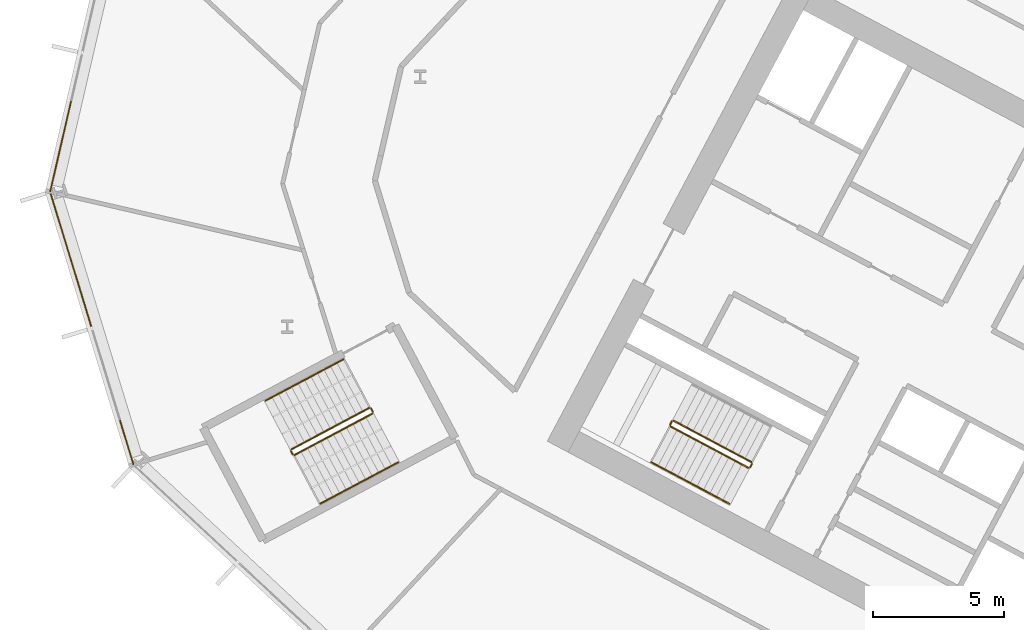
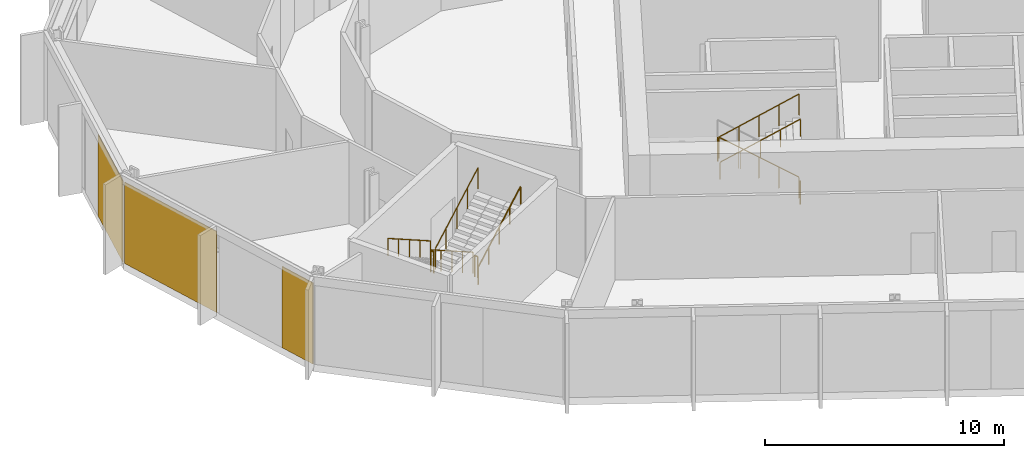
# One storey, part 22 of 30: 11 railings, 3 coverings, 2 elements without a shape of their own.
"""IFC4 building model written with IfcOpenShell, lengths in metres."""

from ifc_helpers import new_model, si_unit, direction, frame, origin, origin_2d, place, context, subcontext, project, spatial, polyline, rectangle, outline, extrude, material, layer, layer_set, type_object, element, aggregate, save


model = new_model("IFC4")

# Units and contexts
model_context = context("Model", 3, precision=1e-05, world=origin(), true_north=direction((0.0, 1.0)))
body_context = subcontext(model_context, "Body", "Model", "MODEL_VIEW")
ifc_project = project(units=[si_unit("LENGTHUNIT", "METRE"), si_unit("AREAUNIT", "SQUARE_METRE"), si_unit("VOLUMEUNIT", "CUBIC_METRE"), si_unit("PLANEANGLEUNIT", "RADIAN"), si_unit("MASSUNIT", "GRAM", prefix="KILO")], contexts=[model_context])

# Site, building, storey
site_placement = place(None, origin())
site = spatial("IfcSite", under=ifc_project, at=site_placement, CompositionType="ELEMENT")
building_placement = place(site_placement, origin())
building = spatial("IfcBuilding", under=site, at=building_placement, Name="Cormorant Relay Tower", CompositionType="ELEMENT")
storey_placement = place(building_placement, frame((0.0, 0.0, 84.60009765625)))
storey = spatial("IfcBuildingStorey", under=building, at=storey_placement, Name="L16", CompositionType="ELEMENT", Elevation=84.60009765625)

# Curtain wall, covering
ifc_material_1 = material(Name="Aluminium 6063-T6 anodised bronze", Category="aluminium")
ifc_layer_1 = layer(ifc_material_1, 0.199951171875)
ifc_layer_set_1 = layer_set([ifc_layer_1], Name="CW1 unitised bronze curtain wall with vertical fins")
curtain_wall_type = type_object("IfcCurtainWallType", Name="CW1 unitised bronze curtain wall with vertical fins", PredefinedType="NOTDEFINED", material=ifc_layer_set_1)
curtain_wall_1_placement = place(storey_placement, origin())
curtain_wall_1 = element("IfcCurtainWall", 1, at=curtain_wall_1_placement, inside=storey, type_object=curtain_wall_type, Name="CW1 curtain wall 11", PredefinedType="NOTDEFINED")
ifc_material_2 = material(Name="Pale bronze anodised aluminium insulated panel", Category="aluminium")
ifc_layer_2 = layer(ifc_material_2, 0.0400390625)
ifc_layer_set_2 = layer_set([ifc_layer_2], Name="CW1 pale bronze insulated panel 40")
covering_type = type_object("IfcCoveringType", Name="CW1 pale bronze insulated panel 40", PredefinedType="CLADDING", material=ifc_layer_set_2)
covering_1_placement = place(storey_placement, frame((-60.3388671875, 22.13232421875, 0.0), z_axis=(0.0, 0.0, 1.0), x_axis=(-0.224951054344, -0.974370064785, 0.0)))
covering_1 = element("IfcCovering", 2, at=covering_1_placement, type_object=covering_type, Name="CW1 panel S02", PredefinedType="CLADDING", context=body_context, shape_type="SweptSolid", body=[
    extrude(rectangle(XDim=3.560302734375, YDim=0.0400390625, at=origin_2d()), origin(), (0.0, 0.0, 1.0), 4.14990234375),
])
aggregate(curtain_wall_1, [covering_1])

# Curtain wall, coverings
curtain_wall_2_placement = place(storey_placement, origin())
curtain_wall_2 = element("IfcCurtainWall", 3, at=curtain_wall_2_placement, inside=storey, type_object=curtain_wall_type, Name="CW1 curtain wall 12", PredefinedType="NOTDEFINED")
covering_2_placement = place(storey_placement, frame((-59.9443359375, 17.78857421875, 0.0), z_axis=(0.0, 0.0, 1.0), x_axis=(0.292371704723, -0.956304755963, 0.0)))
covering_2 = element("IfcCovering", 4, at=covering_2_placement, type_object=covering_type, Name="CW1 panel S00", PredefinedType="CLADDING", context=body_context, shape_type="SweptSolid", body=[
    extrude(rectangle(XDim=5.28515625, YDim=0.0400390625, at=origin_2d()), origin(), (0.0, 0.0, 1.0), 4.14990234375),
])
covering_3_placement = place(storey_placement, frame((-57.818115234375, 10.833740234375, 0.0), z_axis=(0.0, 0.0, 1.0), x_axis=(0.292371704723, -0.956304755963, 0.0)))
covering_3 = element("IfcCovering", 5, at=covering_3_placement, type_object=covering_type, Name="CW1 panel S02", PredefinedType="CLADDING", context=body_context, shape_type="SweptSolid", body=[
    extrude(rectangle(XDim=1.76025390625, YDim=0.0400390625, at=origin_2d()), origin(), (0.0, 0.0, 1.0), 4.14990234375),
])
aggregate(curtain_wall_2, [covering_2, covering_3])

# Railings
ifc_material_3 = material(Name="Steel ASTM A572 Grade 50 (Fy 345 MPa)", Category="steel")
railing_type_1 = type_object("IfcRailingType", Name="Stair guard 1100", PredefinedType="GUARDRAIL", material=ifc_material_3)
railing_1_placement = place(storey_placement, frame((-33.9921875, 10.08935546875, 0.1767578125)))
element("IfcRailing", 6, at=railing_1_placement, inside=storey, type_object=railing_type_1, Name="L16 A2 stair guard 1", PredefinedType="GUARDRAIL", context=body_context, shape_type="SweptSolid", body=[
    extrude(outline(polyline([(0.022216796875, 0.00927734375), (0.00927734375, 0.022216796875), (-0.00927734375, 0.022216796875), (-0.022216796875, 0.00927734375), (-0.022216796875, -0.00927734375), (-0.00927734375, -0.022216796875), (0.00927734375, -0.022216796875), (0.022216796875, -0.00927734375), (0.022216796875, 0.00927734375)])), frame((0.0, 0.0, 1.076171875), z_axis=(-0.746440668329, 0.396869088057, 0.534154711306), x_axis=(-0.46945269911, -0.882957622595, 0.0)), (0.0, 0.0, 1.0), 3.974609375),
    extrude(outline(polyline([(0.019287109375, 0.008056640625), (0.008056640625, 0.019287109375), (-0.008056640625, 0.019287109375), (-0.019287109375, 0.008056640625), (-0.019287109375, -0.008056640625), (-0.008056640625, -0.019287109375), (0.008056640625, -0.019287109375), (0.019287109375, -0.008056640625), (0.019287109375, 0.008056640625)])), origin(), (0.0, 0.0, 1.0), 1.052001953125),
    extrude(outline(polyline([(0.019287109375, 0.008056640625), (0.008056640625, 0.019287109375), (-0.008056640625, 0.019287109375), (-0.019287109375, 0.008056640625), (-0.019287109375, -0.008056640625), (-0.008056640625, -0.019287109375), (0.008056640625, -0.019287109375), (0.019287109375, -0.008056640625), (0.019287109375, 0.008056640625)])), frame((-0.74169921875, 0.394287109375, 0.53076171875)), (0.0, 0.0, 1.0), 1.052001953125),
    extrude(outline(polyline([(0.019287109375, 0.008056640625), (0.008056640625, 0.019287109375), (-0.008056640625, 0.019287109375), (-0.019287109375, 0.008056640625), (-0.019287109375, -0.008056640625), (-0.008056640625, -0.019287109375), (0.008056640625, -0.019287109375), (0.019287109375, -0.008056640625), (0.019287109375, 0.008056640625)])), frame((-1.4833984375, 0.78857421875, 1.0615234375)), (0.0, 0.0, 1.0), 1.052001953125),
    extrude(outline(polyline([(0.019287109375, 0.008056640625), (0.008056640625, 0.019287109375), (-0.008056640625, 0.019287109375), (-0.019287109375, 0.008056640625), (-0.019287109375, -0.008056640625), (-0.008056640625, -0.019287109375), (0.008056640625, -0.019287109375), (0.019287109375, -0.008056640625), (0.019287109375, 0.008056640625)])), frame((-2.22509765625, 1.18310546875, 1.59228515625)), (0.0, 0.0, 1.0), 1.052001953125),
    extrude(outline(polyline([(0.019287109375, 0.008056640625), (0.008056640625, 0.019287109375), (-0.008056640625, 0.019287109375), (-0.019287109375, 0.008056640625), (-0.019287109375, -0.008056640625), (-0.008056640625, -0.019287109375), (0.008056640625, -0.019287109375), (0.019287109375, -0.008056640625), (0.019287109375, 0.008056640625)])), frame((-2.966796875, 1.577392578125, 2.123046875)), (0.0, 0.0, 1.0), 1.052001953125),
])
railing_2_placement = place(storey_placement, frame((-37.026611328125, 11.64599609375, 2.2998046875)))
element("IfcRailing", 7, at=railing_2_placement, inside=storey, type_object=railing_type_1, Name="L16 A2 stair guard 2", PredefinedType="GUARDRAIL", context=body_context, shape_type="SweptSolid", body=[
    extrude(outline(polyline([(0.022216796875, 0.00927734375), (0.00927734375, 0.022216796875), (-0.00927734375, 0.022216796875), (-0.022216796875, 0.00927734375), (-0.022216796875, -0.00927734375), (-0.00927734375, -0.022216796875), (0.00927734375, -0.022216796875), (0.022216796875, -0.00927734375), (0.022216796875, 0.00927734375)])), frame((0.0, 0.0, 1.076171875), z_axis=(-0.469234640946, -0.883073525669, 0.0), x_axis=(0.883073525669, -0.469234640946, 0.0)), (0.0, 0.0, 1.0), 0.14990234375),
    extrude(outline(polyline([(0.019287109375, 0.008056640625), (0.008056640625, 0.019287109375), (-0.008056640625, 0.019287109375), (-0.019287109375, 0.008056640625), (-0.019287109375, -0.008056640625), (-0.008056640625, -0.019287109375), (0.008056640625, -0.019287109375), (0.019287109375, -0.008056640625), (0.019287109375, 0.008056640625)])), origin(), (0.0, 0.0, 1.0), 1.052001953125),
    extrude(outline(polyline([(0.019287109375, 0.008056640625), (0.008056640625, 0.019287109375), (-0.008056640625, 0.019287109375), (-0.019287109375, 0.008056640625), (-0.019287109375, -0.008056640625), (-0.008056640625, -0.019287109375), (0.008056640625, -0.019287109375), (0.019287109375, -0.008056640625), (0.019287109375, 0.008056640625)])), frame((-0.0703125, -0.13232421875, 0.0)), (0.0, 0.0, 1.0), 1.052001953125),
])
railing_3_placement = place(storey_placement, frame((-37.076171875, 11.446044921875, 2.476806640625)))
element("IfcRailing", 8, at=railing_3_placement, inside=storey, type_object=railing_type_1, Name="L16 A2 stair guard 3", PredefinedType="GUARDRAIL", context=body_context, shape_type="SweptSolid", body=[
    extrude(outline(polyline([(0.022216796875, 0.00927734375), (0.00927734375, 0.022216796875), (-0.00927734375, 0.022216796875), (-0.022216796875, 0.00927734375), (-0.022216796875, -0.00927734375), (-0.00927734375, -0.022216796875), (0.00927734375, -0.022216796875), (0.022216796875, -0.00927734375), (0.022216796875, 0.00927734375)])), frame((0.0, 0.0, 1.076171875), z_axis=(0.746413465702, -0.396887285154, 0.534179203172), x_axis=(0.469482818608, 0.88294160794, 0.0)), (0.0, 0.0, 1.0), 3.974365234375),
    extrude(outline(polyline([(0.019287109375, 0.008056640625), (0.008056640625, 0.019287109375), (-0.008056640625, 0.019287109375), (-0.019287109375, 0.008056640625), (-0.019287109375, -0.008056640625), (-0.008056640625, -0.019287109375), (0.008056640625, -0.019287109375), (0.019287109375, -0.008056640625), (0.019287109375, 0.008056640625)])), origin(), (0.0, 0.0, 1.0), 1.052001953125),
    extrude(outline(polyline([(0.019287109375, 0.008056640625), (0.008056640625, 0.019287109375), (-0.008056640625, 0.019287109375), (-0.019287109375, 0.008056640625), (-0.019287109375, -0.008056640625), (-0.008056640625, -0.019287109375), (0.008056640625, -0.019287109375), (0.019287109375, -0.008056640625), (0.019287109375, 0.008056640625)])), frame((0.74169921875, -0.394287109375, 0.53076171875)), (0.0, 0.0, 1.0), 1.052001953125),
    extrude(outline(polyline([(0.019287109375, 0.008056640625), (0.008056640625, 0.019287109375), (-0.008056640625, 0.019287109375), (-0.019287109375, 0.008056640625), (-0.019287109375, -0.008056640625), (-0.008056640625, -0.019287109375), (0.008056640625, -0.019287109375), (0.019287109375, -0.008056640625), (0.019287109375, 0.008056640625)])), frame((1.4833984375, -0.78857421875, 1.0615234375)), (0.0, 0.0, 1.0), 1.052001953125),
    extrude(outline(polyline([(0.019287109375, 0.008056640625), (0.008056640625, 0.019287109375), (-0.008056640625, 0.019287109375), (-0.019287109375, 0.008056640625), (-0.019287109375, -0.008056640625), (-0.008056640625, -0.019287109375), (0.008056640625, -0.019287109375), (0.019287109375, -0.008056640625), (0.019287109375, 0.008056640625)])), frame((2.224853515625, -1.18310546875, 1.59228515625)), (0.0, 0.0, 1.0), 1.052001953125),
    extrude(outline(polyline([(0.019287109375, 0.008056640625), (0.008056640625, 0.019287109375), (-0.008056640625, 0.019287109375), (-0.019287109375, 0.008056640625), (-0.019287109375, -0.008056640625), (-0.008056640625, -0.019287109375), (0.008056640625, -0.019287109375), (0.019287109375, -0.008056640625), (0.019287109375, 0.008056640625)])), frame((2.966552734375, -1.577392578125, 2.123046875)), (0.0, 0.0, 1.0), 1.052001953125),
])
railing_4_placement = place(storey_placement, frame((-33.971435546875, 10.021728515625, 0.0)))
element("IfcRailing", 9, at=railing_4_placement, inside=storey, type_object=railing_type_1, Name="L16 A2 stair guard 4", PredefinedType="GUARDRAIL", context=body_context, shape_type="SweptSolid", body=[
    extrude(outline(polyline([(0.022216796875, 0.00927734375), (0.00927734375, 0.022216796875), (-0.00927734375, 0.022216796875), (-0.022216796875, 0.00927734375), (-0.022216796875, -0.00927734375), (-0.00927734375, -0.022216796875), (0.00927734375, -0.022216796875), (0.022216796875, -0.00927734375), (0.022216796875, 0.00927734375)])), frame((0.0, 0.0, 1.076171875), z_axis=(-0.470503732759, -0.882398003998, 0.0), x_axis=(0.882398003998, -0.470503732759, 0.0)), (0.0, 0.0, 1.0), 0.14990234375),
    extrude(outline(polyline([(0.019287109375, 0.008056640625), (0.008056640625, 0.019287109375), (-0.008056640625, 0.019287109375), (-0.019287109375, 0.008056640625), (-0.019287109375, -0.008056640625), (-0.008056640625, -0.019287109375), (0.008056640625, -0.019287109375), (0.019287109375, -0.008056640625), (0.019287109375, 0.008056640625)])), origin(), (0.0, 0.0, 1.0), 1.052001953125),
    extrude(outline(polyline([(0.019287109375, 0.008056640625), (0.008056640625, 0.019287109375), (-0.008056640625, 0.019287109375), (-0.019287109375, 0.008056640625), (-0.019287109375, -0.008056640625), (-0.008056640625, -0.019287109375), (0.008056640625, -0.019287109375), (0.019287109375, -0.008056640625), (0.019287109375, 0.008056640625)])), frame((-0.070556640625, -0.13232421875, 0.0)), (0.0, 0.0, 1.0), 1.052001953125),
])
railing_5_placement = place(storey_placement, frame((-48.5693359375, 12.155517578125, 0.1767578125)))
element("IfcRailing", 10, at=railing_5_placement, inside=storey, type_object=railing_type_1, Name="L16 RP1 stair guard 1", PredefinedType="GUARDRAIL", context=body_context, shape_type="SweptSolid", body=[
    extrude(outline(polyline([(0.022216796875, 0.00927734375), (0.00927734375, 0.022216796875), (-0.00927734375, 0.022216796875), (-0.022216796875, 0.00927734375), (-0.022216796875, -0.00927734375), (-0.00927734375, -0.022216796875), (0.00927734375, -0.022216796875), (0.022216796875, -0.00927734375), (0.022216796875, 0.00927734375)])), frame((0.0, 0.0, 1.076171875), z_axis=(-0.746422470992, -0.396920836698, 0.534141689248), x_axis=(0.469509342547, -0.882927503967, 0.0)), (0.0, 0.0, 1.0), 3.974609375),
    extrude(outline(polyline([(0.019287109375, 0.008056640625), (0.008056640625, 0.019287109375), (-0.008056640625, 0.019287109375), (-0.019287109375, 0.008056640625), (-0.019287109375, -0.008056640625), (-0.008056640625, -0.019287109375), (0.008056640625, -0.019287109375), (0.019287109375, -0.008056640625), (0.019287109375, 0.008056640625)])), origin(), (0.0, 0.0, 1.0), 1.052001953125),
    extrude(outline(polyline([(0.019287109375, 0.008056640625), (0.008056640625, 0.019287109375), (-0.008056640625, 0.019287109375), (-0.019287109375, 0.008056640625), (-0.019287109375, -0.008056640625), (-0.008056640625, -0.019287109375), (0.008056640625, -0.019287109375), (0.019287109375, -0.008056640625), (0.019287109375, 0.008056640625)])), frame((-0.74169921875, -0.39453125, 0.53076171875)), (0.0, 0.0, 1.0), 1.052001953125),
    extrude(outline(polyline([(0.019287109375, 0.008056640625), (0.008056640625, 0.019287109375), (-0.008056640625, 0.019287109375), (-0.019287109375, 0.008056640625), (-0.019287109375, -0.008056640625), (-0.008056640625, -0.019287109375), (0.008056640625, -0.019287109375), (0.019287109375, -0.008056640625), (0.019287109375, 0.008056640625)])), frame((-1.4833984375, -0.788818359375, 1.0615234375)), (0.0, 0.0, 1.0), 1.052001953125),
    extrude(outline(polyline([(0.019287109375, 0.008056640625), (0.008056640625, 0.019287109375), (-0.008056640625, 0.019287109375), (-0.019287109375, 0.008056640625), (-0.019287109375, -0.008056640625), (-0.008056640625, -0.019287109375), (0.008056640625, -0.019287109375), (0.019287109375, -0.008056640625), (0.019287109375, 0.008056640625)])), frame((-2.22509765625, -1.18310546875, 1.59228515625)), (0.0, 0.0, 1.0), 1.052001953125),
    extrude(outline(polyline([(0.019287109375, 0.008056640625), (0.008056640625, 0.019287109375), (-0.008056640625, 0.019287109375), (-0.019287109375, 0.008056640625), (-0.019287109375, -0.008056640625), (-0.008056640625, -0.019287109375), (0.008056640625, -0.019287109375), (0.019287109375, -0.008056640625), (0.019287109375, 0.008056640625)])), frame((-2.966796875, -1.57763671875, 2.123046875)), (0.0, 0.0, 1.0), 1.052001953125),
])
railing_6_placement = place(storey_placement, frame((-51.556640625, 10.51025390625, 2.2998046875)))
element("IfcRailing", 11, at=railing_6_placement, inside=storey, type_object=railing_type_1, Name="L16 RP1 stair guard 2", PredefinedType="GUARDRAIL", context=body_context, shape_type="SweptSolid", body=[
    extrude(outline(polyline([(0.022216796875, 0.00927734375), (0.00927734375, 0.022216796875), (-0.00927734375, 0.022216796875), (-0.022216796875, 0.00927734375), (-0.022216796875, -0.00927734375), (-0.00927734375, -0.022216796875), (0.00927734375, -0.022216796875), (0.022216796875, -0.00927734375), (0.022216796875, 0.00927734375)])), frame((0.0, 0.0, 1.076171875), z_axis=(0.469234640946, -0.883073525669, 0.0), x_axis=(0.883073525669, 0.469234640946, 0.0)), (0.0, 0.0, 1.0), 0.14990234375),
    extrude(outline(polyline([(0.019287109375, 0.008056640625), (0.008056640625, 0.019287109375), (-0.008056640625, 0.019287109375), (-0.019287109375, 0.008056640625), (-0.019287109375, -0.008056640625), (-0.008056640625, -0.019287109375), (0.008056640625, -0.019287109375), (0.019287109375, -0.008056640625), (0.019287109375, 0.008056640625)])), origin(), (0.0, 0.0, 1.0), 1.052001953125),
    extrude(outline(polyline([(0.019287109375, 0.008056640625), (0.008056640625, 0.019287109375), (-0.008056640625, 0.019287109375), (-0.019287109375, 0.008056640625), (-0.019287109375, -0.008056640625), (-0.008056640625, -0.019287109375), (0.008056640625, -0.019287109375), (0.019287109375, -0.008056640625), (0.019287109375, 0.008056640625)])), frame((0.0703125, -0.13232421875, 0.0)), (0.0, 0.0, 1.0), 1.052001953125),
])
railing_7_placement = place(storey_placement, frame((-51.418701171875, 10.357177734375, 2.476806640625)))
element("IfcRailing", 12, at=railing_7_placement, inside=storey, type_object=railing_type_1, Name="L16 RP1 stair guard 3", PredefinedType="GUARDRAIL", context=body_context, shape_type="SweptSolid", body=[
    extrude(outline(polyline([(0.022216796875, 0.00927734375), (0.00927734375, 0.022216796875), (-0.00927734375, 0.022216796875), (-0.022216796875, 0.00927734375), (-0.022216796875, -0.00927734375), (-0.00927734375, -0.022216796875), (0.00927734375, -0.022216796875), (0.022216796875, -0.00927734375), (0.022216796875, 0.00927734375)])), frame((0.0, 0.0, 1.076171875), z_axis=(0.746440668329, 0.396869088057, 0.534154711306), x_axis=(-0.46945269911, 0.882957622595, 0.0)), (0.0, 0.0, 1.0), 3.974609375),
    extrude(outline(polyline([(0.019287109375, 0.008056640625), (0.008056640625, 0.019287109375), (-0.008056640625, 0.019287109375), (-0.019287109375, 0.008056640625), (-0.019287109375, -0.008056640625), (-0.008056640625, -0.019287109375), (0.008056640625, -0.019287109375), (0.019287109375, -0.008056640625), (0.019287109375, 0.008056640625)])), origin(), (0.0, 0.0, 1.0), 1.052001953125),
    extrude(outline(polyline([(0.019287109375, 0.008056640625), (0.008056640625, 0.019287109375), (-0.008056640625, 0.019287109375), (-0.019287109375, 0.008056640625), (-0.019287109375, -0.008056640625), (-0.008056640625, -0.019287109375), (0.008056640625, -0.019287109375), (0.019287109375, -0.008056640625), (0.019287109375, 0.008056640625)])), frame((0.74169921875, 0.394287109375, 0.53076171875)), (0.0, 0.0, 1.0), 1.052001953125),
    extrude(outline(polyline([(0.019287109375, 0.008056640625), (0.008056640625, 0.019287109375), (-0.008056640625, 0.019287109375), (-0.019287109375, 0.008056640625), (-0.019287109375, -0.008056640625), (-0.008056640625, -0.019287109375), (0.008056640625, -0.019287109375), (0.019287109375, -0.008056640625), (0.019287109375, 0.008056640625)])), frame((1.4833984375, 0.78857421875, 1.0615234375)), (0.0, 0.0, 1.0), 1.052001953125),
    extrude(outline(polyline([(0.019287109375, 0.008056640625), (0.008056640625, 0.019287109375), (-0.008056640625, 0.019287109375), (-0.019287109375, 0.008056640625), (-0.019287109375, -0.008056640625), (-0.008056640625, -0.019287109375), (0.008056640625, -0.019287109375), (0.019287109375, -0.008056640625), (0.019287109375, 0.008056640625)])), frame((2.22509765625, 1.18310546875, 1.59228515625)), (0.0, 0.0, 1.0), 1.052001953125),
    extrude(outline(polyline([(0.019287109375, 0.008056640625), (0.008056640625, 0.019287109375), (-0.008056640625, 0.019287109375), (-0.019287109375, 0.008056640625), (-0.019287109375, -0.008056640625), (-0.008056640625, -0.019287109375), (0.008056640625, -0.019287109375), (0.019287109375, -0.008056640625), (0.019287109375, 0.008056640625)])), frame((2.966796875, 1.577392578125, 2.123046875)), (0.0, 0.0, 1.0), 1.052001953125),
])
railing_8_placement = place(storey_placement, frame((-48.501708984375, 12.134765625, 0.0)))
element("IfcRailing", 13, at=railing_8_placement, inside=storey, type_object=railing_type_1, Name="L16 RP1 stair guard 4", PredefinedType="GUARDRAIL", context=body_context, shape_type="SweptSolid", body=[
    extrude(outline(polyline([(0.022216796875, 0.00927734375), (0.00927734375, 0.022216796875), (-0.00927734375, 0.022216796875), (-0.022216796875, 0.00927734375), (-0.022216796875, -0.00927734375), (-0.00927734375, -0.022216796875), (0.00927734375, -0.022216796875), (0.022216796875, -0.00927734375), (0.022216796875, 0.00927734375)])), frame((0.0, 0.0, 1.076171875), z_axis=(0.46856034887, -0.8834314911, 0.0), x_axis=(0.8834314911, 0.46856034887, 0.0)), (0.0, 0.0, 1.0), 0.150146484375),
    extrude(outline(polyline([(0.019287109375, 0.008056640625), (0.008056640625, 0.019287109375), (-0.008056640625, 0.019287109375), (-0.019287109375, 0.008056640625), (-0.019287109375, -0.008056640625), (-0.008056640625, -0.019287109375), (0.008056640625, -0.019287109375), (0.019287109375, -0.008056640625), (0.019287109375, 0.008056640625)])), origin(), (0.0, 0.0, 1.0), 1.052001953125),
    extrude(outline(polyline([(0.019287109375, 0.008056640625), (0.008056640625, 0.019287109375), (-0.008056640625, 0.019287109375), (-0.019287109375, 0.008056640625), (-0.019287109375, -0.008056640625), (-0.008056640625, -0.019287109375), (0.008056640625, -0.019287109375), (0.019287109375, -0.008056640625), (0.019287109375, 0.008056640625)])), frame((0.0703125, -0.132568359375, 0.0)), (0.0, 0.0, 1.0), 1.052001953125),
])
ifc_material_4 = material(Name="Steel ASTM A572 Grade 50 (Fy 345 MPa)", Category="steel")
railing_type_2 = type_object("IfcRailingType", Name="Stair handrail 900", PredefinedType="HANDRAIL", material=ifc_material_4)
railing_9_placement = place(storey_placement, frame((-37.803955078125, 10.077392578125, 2.476806640625)))
element("IfcRailing", 14, at=railing_9_placement, inside=storey, type_object=railing_type_2, Name="L16 A2 stair handrail 2", PredefinedType="HANDRAIL", context=body_context, shape_type="SweptSolid", body=[
    extrude(outline(polyline([(0.022216796875, 0.00927734375), (0.00927734375, 0.022216796875), (-0.00927734375, 0.022216796875), (-0.022216796875, 0.00927734375), (-0.022216796875, -0.00927734375), (-0.00927734375, -0.022216796875), (0.00927734375, -0.022216796875), (0.022216796875, -0.00927734375), (0.022216796875, 0.00927734375)])), frame((0.0, 0.0, 0.8759765625), z_axis=(0.746440668329, -0.396869088057, 0.534154711306), x_axis=(0.46945269911, 0.882957622595, 0.0)), (0.0, 0.0, 1.0), 3.974609375),
    extrude(outline(polyline([(0.019287109375, 0.008056640625), (0.008056640625, 0.019287109375), (-0.008056640625, 0.019287109375), (-0.019287109375, 0.008056640625), (-0.019287109375, -0.008056640625), (-0.008056640625, -0.019287109375), (0.008056640625, -0.019287109375), (0.019287109375, -0.008056640625), (0.019287109375, 0.008056640625)])), origin(), (0.0, 0.0, 1.0), 0.851806640625),
    extrude(outline(polyline([(0.019287109375, 0.008056640625), (0.008056640625, 0.019287109375), (-0.008056640625, 0.019287109375), (-0.019287109375, 0.008056640625), (-0.019287109375, -0.008056640625), (-0.008056640625, -0.019287109375), (0.008056640625, -0.019287109375), (0.019287109375, -0.008056640625), (0.019287109375, 0.008056640625)])), frame((0.74169921875, -0.394287109375, 0.53076171875)), (0.0, 0.0, 1.0), 0.851806640625),
    extrude(outline(polyline([(0.019287109375, 0.008056640625), (0.008056640625, 0.019287109375), (-0.008056640625, 0.019287109375), (-0.019287109375, 0.008056640625), (-0.019287109375, -0.008056640625), (-0.008056640625, -0.019287109375), (0.008056640625, -0.019287109375), (0.019287109375, -0.008056640625), (0.019287109375, 0.008056640625)])), frame((1.4833984375, -0.78857421875, 1.0615234375)), (0.0, 0.0, 1.0), 0.851806640625),
    extrude(outline(polyline([(0.019287109375, 0.008056640625), (0.008056640625, 0.019287109375), (-0.008056640625, 0.019287109375), (-0.019287109375, 0.008056640625), (-0.019287109375, -0.008056640625), (-0.008056640625, -0.019287109375), (0.008056640625, -0.019287109375), (0.019287109375, -0.008056640625), (0.019287109375, 0.008056640625)])), frame((2.22509765625, -1.18310546875, 1.59228515625)), (0.0, 0.0, 1.0), 0.851806640625),
    extrude(outline(polyline([(0.019287109375, 0.008056640625), (0.008056640625, 0.019287109375), (-0.008056640625, 0.019287109375), (-0.019287109375, 0.008056640625), (-0.019287109375, -0.008056640625), (-0.008056640625, -0.019287109375), (0.008056640625, -0.019287109375), (0.019287109375, -0.008056640625), (0.019287109375, 0.008056640625)])), frame((2.966796875, -1.577392578125, 2.123046875)), (0.0, 0.0, 1.0), 0.851806640625),
])
railing_10_placement = place(storey_placement, frame((-49.55517578125, 14.009521484375, 0.1767578125)))
element("IfcRailing", 15, at=railing_10_placement, inside=storey, type_object=railing_type_2, Name="L16 RP1 stair handrail 1", PredefinedType="HANDRAIL", context=body_context, shape_type="SweptSolid", body=[
    extrude(outline(polyline([(0.022216796875, 0.00927734375), (0.00927734375, 0.022216796875), (-0.00927734375, 0.022216796875), (-0.022216796875, 0.00927734375), (-0.022216796875, -0.00927734375), (-0.00927734375, -0.022216796875), (0.00927734375, -0.022216796875), (0.022216796875, -0.00927734375), (0.022216796875, 0.00927734375)])), frame((0.0, 0.0, 0.8759765625), z_axis=(-0.746440668329, -0.396869088057, 0.534154711306), x_axis=(0.46945269911, -0.882957622595, 0.0)), (0.0, 0.0, 1.0), 3.974609375),
    extrude(outline(polyline([(0.019287109375, 0.008056640625), (0.008056640625, 0.019287109375), (-0.008056640625, 0.019287109375), (-0.019287109375, 0.008056640625), (-0.019287109375, -0.008056640625), (-0.008056640625, -0.019287109375), (0.008056640625, -0.019287109375), (0.019287109375, -0.008056640625), (0.019287109375, 0.008056640625)])), origin(), (0.0, 0.0, 1.0), 0.851806640625),
    extrude(outline(polyline([(0.019287109375, 0.008056640625), (0.008056640625, 0.019287109375), (-0.008056640625, 0.019287109375), (-0.019287109375, 0.008056640625), (-0.019287109375, -0.008056640625), (-0.008056640625, -0.019287109375), (0.008056640625, -0.019287109375), (0.019287109375, -0.008056640625), (0.019287109375, 0.008056640625)])), frame((-0.74169921875, -0.394287109375, 0.53076171875)), (0.0, 0.0, 1.0), 0.851806640625),
    extrude(outline(polyline([(0.019287109375, 0.008056640625), (0.008056640625, 0.019287109375), (-0.008056640625, 0.019287109375), (-0.019287109375, 0.008056640625), (-0.019287109375, -0.008056640625), (-0.008056640625, -0.019287109375), (0.008056640625, -0.019287109375), (0.019287109375, -0.008056640625), (0.019287109375, 0.008056640625)])), frame((-1.4833984375, -0.78857421875, 1.0615234375)), (0.0, 0.0, 1.0), 0.851806640625),
    extrude(outline(polyline([(0.019287109375, 0.008056640625), (0.008056640625, 0.019287109375), (-0.008056640625, 0.019287109375), (-0.019287109375, 0.008056640625), (-0.019287109375, -0.008056640625), (-0.008056640625, -0.019287109375), (0.008056640625, -0.019287109375), (0.019287109375, -0.008056640625), (0.019287109375, 0.008056640625)])), frame((-2.22509765625, -1.18310546875, 1.59228515625)), (0.0, 0.0, 1.0), 0.851806640625),
    extrude(outline(polyline([(0.019287109375, 0.008056640625), (0.008056640625, 0.019287109375), (-0.008056640625, 0.019287109375), (-0.019287109375, 0.008056640625), (-0.019287109375, -0.008056640625), (-0.008056640625, -0.019287109375), (0.008056640625, -0.019287109375), (0.019287109375, -0.008056640625), (0.019287109375, 0.008056640625)])), frame((-2.966796875, -1.577392578125, 2.123046875)), (0.0, 0.0, 1.0), 0.851806640625),
])
railing_11_placement = place(storey_placement, frame((-50.432861328125, 8.503173828125, 2.476806640625)))
element("IfcRailing", 16, at=railing_11_placement, inside=storey, type_object=railing_type_2, Name="L16 RP1 stair handrail 2", PredefinedType="HANDRAIL", context=body_context, shape_type="SweptSolid", body=[
    extrude(outline(polyline([(0.022216796875, 0.00927734375), (0.00927734375, 0.022216796875), (-0.00927734375, 0.022216796875), (-0.022216796875, 0.00927734375), (-0.022216796875, -0.00927734375), (-0.00927734375, -0.022216796875), (0.00927734375, -0.022216796875), (0.022216796875, -0.00927734375), (0.022216796875, 0.00927734375)])), frame((0.0, 0.0, 0.8759765625), z_axis=(0.746440668329, 0.396869088057, 0.534154711306), x_axis=(-0.46945269911, 0.882957622595, 0.0)), (0.0, 0.0, 1.0), 3.974609375),
    extrude(outline(polyline([(0.019287109375, 0.008056640625), (0.008056640625, 0.019287109375), (-0.008056640625, 0.019287109375), (-0.019287109375, 0.008056640625), (-0.019287109375, -0.008056640625), (-0.008056640625, -0.019287109375), (0.008056640625, -0.019287109375), (0.019287109375, -0.008056640625), (0.019287109375, 0.008056640625)])), origin(), (0.0, 0.0, 1.0), 0.851806640625),
    extrude(outline(polyline([(0.019287109375, 0.008056640625), (0.008056640625, 0.019287109375), (-0.008056640625, 0.019287109375), (-0.019287109375, 0.008056640625), (-0.019287109375, -0.008056640625), (-0.008056640625, -0.019287109375), (0.008056640625, -0.019287109375), (0.019287109375, -0.008056640625), (0.019287109375, 0.008056640625)])), frame((0.74169921875, 0.394287109375, 0.53076171875)), (0.0, 0.0, 1.0), 0.851806640625),
    extrude(outline(polyline([(0.019287109375, 0.008056640625), (0.008056640625, 0.019287109375), (-0.008056640625, 0.019287109375), (-0.019287109375, 0.008056640625), (-0.019287109375, -0.008056640625), (-0.008056640625, -0.019287109375), (0.008056640625, -0.019287109375), (0.019287109375, -0.008056640625), (0.019287109375, 0.008056640625)])), frame((1.4833984375, 0.78857421875, 1.0615234375)), (0.0, 0.0, 1.0), 0.851806640625),
    extrude(outline(polyline([(0.019287109375, 0.008056640625), (0.008056640625, 0.019287109375), (-0.008056640625, 0.019287109375), (-0.019287109375, 0.008056640625), (-0.019287109375, -0.008056640625), (-0.008056640625, -0.019287109375), (0.008056640625, -0.019287109375), (0.019287109375, -0.008056640625), (0.019287109375, 0.008056640625)])), frame((2.22509765625, 1.18310546875, 1.59228515625)), (0.0, 0.0, 1.0), 0.851806640625),
    extrude(outline(polyline([(0.019287109375, 0.008056640625), (0.008056640625, 0.019287109375), (-0.008056640625, 0.019287109375), (-0.019287109375, 0.008056640625), (-0.019287109375, -0.008056640625), (-0.008056640625, -0.019287109375), (0.008056640625, -0.019287109375), (0.019287109375, -0.008056640625), (0.019287109375, 0.008056640625)])), frame((2.966796875, 1.577392578125, 2.123046875)), (0.0, 0.0, 1.0), 0.851806640625),
])

save(model, "model.ifc")
